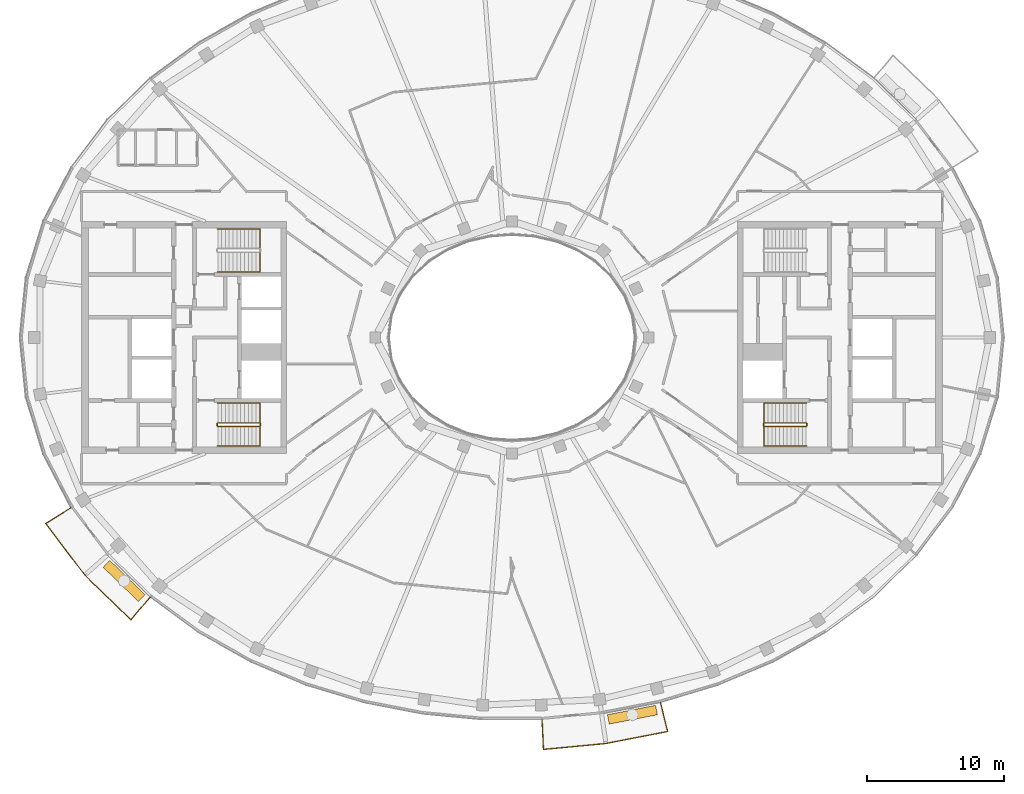
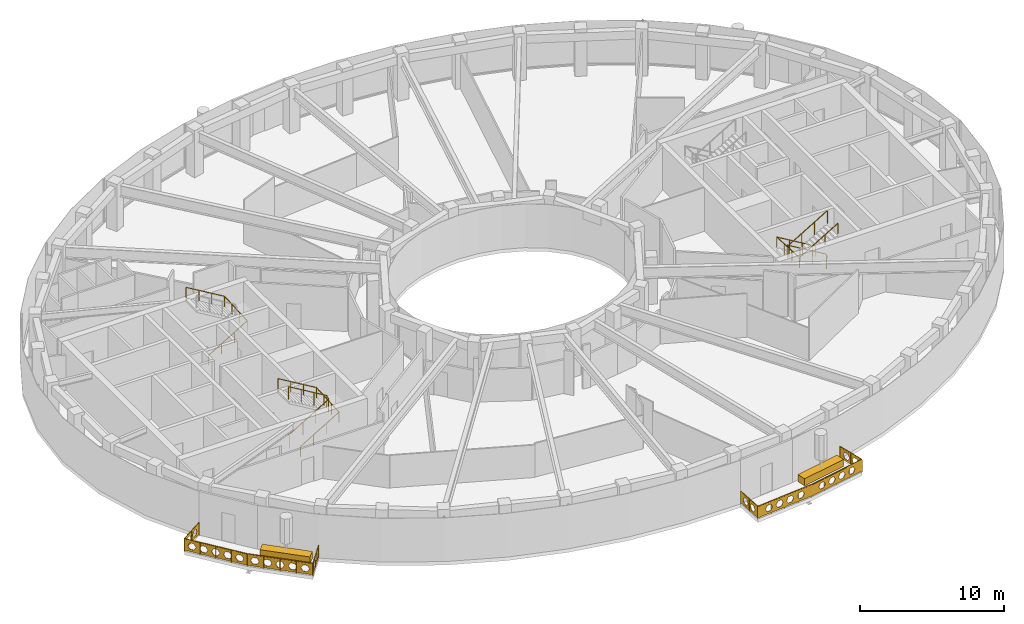
# One storey, part 18 of 20: 7 railings, 2 coverings.
"""IFC4 building model written with IfcOpenShell, lengths in metres."""

from ifc_helpers import new_model, si_unit, direction, frame, origin, origin_2d, place, context, subcontext, project, spatial, polyline, rectangle, outline, extrude, material, type_object, element, save


model = new_model("IFC4")

# Units and contexts
model_context = context("Model", 3, precision=1e-05, world=origin(), true_north=direction((0.0, 1.0)))
body_context = subcontext(model_context, "Body", "Model", "MODEL_VIEW")
ifc_project = project(units=[si_unit("LENGTHUNIT", "METRE"), si_unit("AREAUNIT", "SQUARE_METRE"), si_unit("VOLUMEUNIT", "CUBIC_METRE"), si_unit("PLANEANGLEUNIT", "RADIAN"), si_unit("MASSUNIT", "GRAM", prefix="KILO")], contexts=[model_context])

# Site, building, storey
site_placement = place(None, origin())
site = spatial("IfcSite", under=ifc_project, at=site_placement, CompositionType="ELEMENT")
building_placement = place(site_placement, origin())
building = spatial("IfcBuilding", under=site, at=building_placement, Name="Noorbagh Ring Tower", CompositionType="ELEMENT")
storey_placement = place(building_placement, frame((0.0, 0.0, 323.0)))
storey = spatial("IfcBuildingStorey", under=building, at=storey_placement, Name="L70", CompositionType="ELEMENT", Elevation=323.0)

# Railings
ifc_material_1 = material(Name="Stainless steel", Category="steel")
railing_type_1 = type_object("IfcRailingType", Name="CORE-STAIR-GUARD", PredefinedType="GUARDRAIL", material=ifc_material_1)
railing_1_placement = place(storey_placement, frame((-21.580078125, -6.449951171875, 0.0)))
element("IfcRailing", 1, at=railing_1_placement, inside=storey, type_object=railing_type_1, Name="L70 ST2 stair guard", PredefinedType="GUARDRAIL", context=body_context, shape_type="SweptSolid", body=[
    extrude(rectangle(XDim=0.048095703125, YDim=0.048095703125, at=origin_2d()), frame((0.0, 0.0, 1.076171875), z_axis=(0.0, 1.0, 0.0), x_axis=(-1.0, 0.0, 0.0)), (0.0, 0.0, 1.0), 0.14990234375),
    extrude(rectangle(XDim=0.048095703125, YDim=0.048095703125, at=origin_2d()), frame((0.0, 0.14990234375, 1.076171875), z_axis=(0.188775798145, -0.754182335027, 0.628945707965), x_axis=(0.970072785993, 0.242814311512, 0.0)), (0.0, 0.0, 1.0), 0.26513671875),
    extrude(rectangle(XDim=0.048095703125, YDim=0.048095703125, at=origin_2d()), frame((0.050048828125, -0.050048828125, 1.24267578125), z_axis=(0.859308565015, 0.0, 0.511457515432), x_axis=(0.0, 1.0, 0.0)), (0.0, 0.0, 1.0), 3.58447265625),
    extrude(rectangle(XDim=0.048095703125, YDim=0.048095703125, at=origin_2d()), frame((3.130126953125, -0.050048828125, 3.076171875), z_axis=(0.707106781187, 0.707106781187, 0.0), x_axis=(-0.707106781187, 0.707106781187, 0.0)), (0.0, 0.0, 1.0), 0.07080078125),
    extrude(rectangle(XDim=0.048095703125, YDim=0.048095703125, at=origin_2d()), frame((3.18017578125, 0.0, 3.076171875), z_axis=(0.0, 1.0, 0.0), x_axis=(-1.0, 0.0, 0.0)), (0.0, 0.0, 1.0), 0.14990234375),
    extrude(rectangle(XDim=0.048095703125, YDim=0.048095703125, at=origin_2d()), frame((3.18017578125, 0.14990234375, 3.076171875), z_axis=(-0.27628659633, 0.27628659633, 0.920506074601), x_axis=(-0.707106781187, -0.707106781187, 0.0)), (0.0, 0.0, 1.0), 0.18115234375),
    extrude(rectangle(XDim=0.048095703125, YDim=0.048095703125, at=origin_2d()), frame((3.130126953125, 0.199951171875, 3.24267578125), z_axis=(-0.859308565015, 0.0, 0.511457515432), x_axis=(0.0, -1.0, 0.0)), (0.0, 0.0, 1.0), 3.58447265625),
    extrude(rectangle(XDim=0.0419921875, YDim=0.0419921875, at=origin_2d()), origin(), (0.0, 0.0, 1.0), 1.052001953125),
    extrude(rectangle(XDim=0.0419921875, YDim=0.0419921875, at=origin_2d()), frame((1.07666015625, -0.050048828125, 0.77783203125)), (0.0, 0.0, 1.0), 1.052001953125),
    extrude(rectangle(XDim=0.0419921875, YDim=0.0419921875, at=origin_2d()), frame((2.103515625, -0.050048828125, 1.388916015625)), (0.0, 0.0, 1.0), 1.052001953125),
    extrude(rectangle(XDim=0.0419921875, YDim=0.0419921875, at=origin_2d()), frame((3.130126953125, -0.050048828125, 2.0)), (0.0, 0.0, 1.0), 1.052001953125),
    extrude(rectangle(XDim=0.0419921875, YDim=0.0419921875, at=origin_2d()), frame((3.130126953125, 0.199951171875, 2.166748046875)), (0.0, 0.0, 1.0), 1.052001953125),
    extrude(rectangle(XDim=0.0419921875, YDim=0.0419921875, at=origin_2d()), frame((2.103515625, 0.199951171875, 2.77783203125)), (0.0, 0.0, 1.0), 1.052001953125),
    extrude(rectangle(XDim=0.0419921875, YDim=0.0419921875, at=origin_2d()), frame((1.07666015625, 0.199951171875, 3.388916015625)), (0.0, 0.0, 1.0), 1.052001953125),
    extrude(rectangle(XDim=0.0419921875, YDim=0.0419921875, at=origin_2d()), frame((0.050048828125, 0.199951171875, 4.0)), (0.0, 0.0, 1.0), 1.052001953125),
])
railing_2_placement = place(storey_placement, frame((21.580078125, -6.300048828125, 0.0)))
element("IfcRailing", 2, at=railing_2_placement, inside=storey, type_object=railing_type_1, Name="L70 ST4 stair guard", PredefinedType="GUARDRAIL", context=body_context, shape_type="SweptSolid", body=[
    extrude(rectangle(XDim=0.048095703125, YDim=0.048095703125, at=origin_2d()), frame((0.0, 0.0, 1.076171875), z_axis=(0.0, -1.0, 0.0), x_axis=(1.0, 0.0, 0.0)), (0.0, 0.0, 1.0), 0.14990234375),
    extrude(rectangle(XDim=0.048095703125, YDim=0.048095703125, at=origin_2d()), frame((0.0, -0.14990234375, 1.076171875), z_axis=(-0.188775798145, 0.754182335027, 0.628945707965), x_axis=(-0.970072785993, -0.242814311512, 0.0)), (0.0, 0.0, 1.0), 0.26513671875),
    extrude(rectangle(XDim=0.048095703125, YDim=0.048095703125, at=origin_2d()), frame((-0.050048828125, 0.050048828125, 1.24267578125), z_axis=(-0.859308565015, 0.0, 0.511457515432), x_axis=(0.0, -1.0, 0.0)), (0.0, 0.0, 1.0), 3.58447265625),
    extrude(rectangle(XDim=0.048095703125, YDim=0.048095703125, at=origin_2d()), frame((-3.130126953125, 0.050048828125, 3.076171875), z_axis=(-0.707106781187, -0.707106781187, 0.0), x_axis=(0.707106781187, -0.707106781187, 0.0)), (0.0, 0.0, 1.0), 0.07080078125),
    extrude(rectangle(XDim=0.048095703125, YDim=0.048095703125, at=origin_2d()), frame((-3.18017578125, 0.0, 3.076171875), z_axis=(0.0, -1.0, 0.0), x_axis=(1.0, 0.0, 0.0)), (0.0, 0.0, 1.0), 0.14990234375),
    extrude(rectangle(XDim=0.048095703125, YDim=0.048095703125, at=origin_2d()), frame((-3.18017578125, -0.14990234375, 3.076171875), z_axis=(0.27628659633, -0.27628659633, 0.920506074601), x_axis=(0.707106781187, 0.707106781187, 0.0)), (0.0, 0.0, 1.0), 0.18115234375),
    extrude(rectangle(XDim=0.048095703125, YDim=0.048095703125, at=origin_2d()), frame((-3.130126953125, -0.199951171875, 3.24267578125), z_axis=(0.859308565015, 0.0, 0.511457515432), x_axis=(0.0, 1.0, 0.0)), (0.0, 0.0, 1.0), 3.58447265625),
    extrude(rectangle(XDim=0.0419921875, YDim=0.0419921875, at=origin_2d()), origin(), (0.0, 0.0, 1.0), 1.052001953125),
    extrude(rectangle(XDim=0.0419921875, YDim=0.0419921875, at=origin_2d()), frame((-1.07666015625, 0.050048828125, 0.77783203125)), (0.0, 0.0, 1.0), 1.052001953125),
    extrude(rectangle(XDim=0.0419921875, YDim=0.0419921875, at=origin_2d()), frame((-2.103515625, 0.050048828125, 1.388916015625)), (0.0, 0.0, 1.0), 1.052001953125),
    extrude(rectangle(XDim=0.0419921875, YDim=0.0419921875, at=origin_2d()), frame((-3.130126953125, 0.050048828125, 2.0)), (0.0, 0.0, 1.0), 1.052001953125),
    extrude(rectangle(XDim=0.0419921875, YDim=0.0419921875, at=origin_2d()), frame((-3.130126953125, -0.199951171875, 2.166748046875)), (0.0, 0.0, 1.0), 1.052001953125),
    extrude(rectangle(XDim=0.0419921875, YDim=0.0419921875, at=origin_2d()), frame((-2.103515625, -0.199951171875, 2.77783203125)), (0.0, 0.0, 1.0), 1.052001953125),
    extrude(rectangle(XDim=0.0419921875, YDim=0.0419921875, at=origin_2d()), frame((-1.07666015625, -0.199951171875, 3.388916015625)), (0.0, 0.0, 1.0), 1.052001953125),
    extrude(rectangle(XDim=0.0419921875, YDim=0.0419921875, at=origin_2d()), frame((-0.050048828125, -0.199951171875, 4.0)), (0.0, 0.0, 1.0), 1.052001953125),
])
ifc_material_2 = material(Name="Stainless steel", Category="steel")
railing_type_2 = type_object("IfcRailingType", Name="CORE-STAIR-HANDRAIL", PredefinedType="HANDRAIL", material=ifc_material_2)
railing_3_placement = place(storey_placement, frame((-21.530029296875, 4.800048828125, 0.166748046875)))
element("IfcRailing", 3, at=railing_3_placement, inside=storey, type_object=railing_type_2, Name="L70 ST1 stair handrail", PredefinedType="HANDRAIL", context=body_context, shape_type="SweptSolid", body=[
    extrude(rectangle(XDim=0.048095703125, YDim=0.048095703125, at=origin_2d()), frame((0.0, 0.0, 0.8759765625), z_axis=(0.859308565015, 0.0, 0.511457515432), x_axis=(0.0, 1.0, 0.0)), (0.0, 0.0, 1.0), 3.58447265625),
    extrude(rectangle(XDim=0.048095703125, YDim=0.048095703125, at=origin_2d()), frame((3.080078125, 0.0, 2.708984375), z_axis=(0.0, 0.998601747152, 0.052863509014), x_axis=(-1.0, 0.0, 0.0)), (0.0, 0.0, 1.0), 3.154296875),
    extrude(rectangle(XDim=0.048095703125, YDim=0.048095703125, at=origin_2d()), frame((3.080078125, 3.14990234375, 2.8759765625), z_axis=(-0.859308565015, 0.0, 0.511457515432), x_axis=(0.0, -1.0, 0.0)), (0.0, 0.0, 1.0), 3.58447265625),
    extrude(rectangle(XDim=0.0419921875, YDim=0.0419921875, at=origin_2d()), origin(), (0.0, 0.0, 1.0), 0.851806640625),
    extrude(rectangle(XDim=0.0419921875, YDim=0.0419921875, at=origin_2d()), frame((1.026611328125, 0.0, 0.611083984375)), (0.0, 0.0, 1.0), 0.851806640625),
    extrude(rectangle(XDim=0.0419921875, YDim=0.0419921875, at=origin_2d()), frame((2.053466796875, 0.0, 1.22216796875)), (0.0, 0.0, 1.0), 0.851806640625),
    extrude(rectangle(XDim=0.0419921875, YDim=0.0419921875, at=origin_2d()), frame((3.080078125, 0.0, 1.833251953125)), (0.0, 0.0, 1.0), 0.851806640625),
    extrude(rectangle(XDim=0.0419921875, YDim=0.0419921875, at=origin_2d()), frame((3.080078125, 1.050048828125, 1.888916015625)), (0.0, 0.0, 1.0), 0.851806640625),
    extrude(rectangle(XDim=0.0419921875, YDim=0.0419921875, at=origin_2d()), frame((3.080078125, 2.099853515625, 1.9443359375)), (0.0, 0.0, 1.0), 0.851806640625),
    extrude(rectangle(XDim=0.0419921875, YDim=0.0419921875, at=origin_2d()), frame((3.080078125, 3.14990234375, 2.0)), (0.0, 0.0, 1.0), 0.851806640625),
    extrude(rectangle(XDim=0.0419921875, YDim=0.0419921875, at=origin_2d()), frame((2.053466796875, 3.14990234375, 2.611083984375)), (0.0, 0.0, 1.0), 0.851806640625),
    extrude(rectangle(XDim=0.0419921875, YDim=0.0419921875, at=origin_2d()), frame((1.026611328125, 3.14990234375, 3.22216796875)), (0.0, 0.0, 1.0), 0.851806640625),
    extrude(rectangle(XDim=0.0419921875, YDim=0.0419921875, at=origin_2d()), frame((0.0, 3.14990234375, 3.833251953125)), (0.0, 0.0, 1.0), 0.851806640625),
])
railing_4_placement = place(storey_placement, frame((-21.530029296875, -7.949951171875, 0.166748046875)))
element("IfcRailing", 4, at=railing_4_placement, inside=storey, type_object=railing_type_2, Name="L70 ST2 stair handrail", PredefinedType="HANDRAIL", context=body_context, shape_type="SweptSolid", body=[
    extrude(rectangle(XDim=0.048095703125, YDim=0.048095703125, at=origin_2d()), frame((0.0, 0.0, 0.8759765625), z_axis=(0.859308565015, 0.0, 0.511457515432), x_axis=(0.0, 1.0, 0.0)), (0.0, 0.0, 1.0), 3.58447265625),
    extrude(rectangle(XDim=0.048095703125, YDim=0.048095703125, at=origin_2d()), frame((3.080078125, 0.0, 2.708984375), z_axis=(0.0, 0.998601747152, 0.052863509014), x_axis=(-1.0, 0.0, 0.0)), (0.0, 0.0, 1.0), 3.154296875),
    extrude(rectangle(XDim=0.048095703125, YDim=0.048095703125, at=origin_2d()), frame((3.080078125, 3.14990234375, 2.8759765625), z_axis=(-0.859308565015, 0.0, 0.511457515432), x_axis=(0.0, -1.0, 0.0)), (0.0, 0.0, 1.0), 3.58447265625),
    extrude(rectangle(XDim=0.0419921875, YDim=0.0419921875, at=origin_2d()), origin(), (0.0, 0.0, 1.0), 0.851806640625),
    extrude(rectangle(XDim=0.0419921875, YDim=0.0419921875, at=origin_2d()), frame((1.026611328125, 0.0, 0.611083984375)), (0.0, 0.0, 1.0), 0.851806640625),
    extrude(rectangle(XDim=0.0419921875, YDim=0.0419921875, at=origin_2d()), frame((2.053466796875, 0.0, 1.22216796875)), (0.0, 0.0, 1.0), 0.851806640625),
    extrude(rectangle(XDim=0.0419921875, YDim=0.0419921875, at=origin_2d()), frame((3.080078125, 0.0, 1.833251953125)), (0.0, 0.0, 1.0), 0.851806640625),
    extrude(rectangle(XDim=0.0419921875, YDim=0.0419921875, at=origin_2d()), frame((3.080078125, 1.050048828125, 1.888916015625)), (0.0, 0.0, 1.0), 0.851806640625),
    extrude(rectangle(XDim=0.0419921875, YDim=0.0419921875, at=origin_2d()), frame((3.080078125, 2.099853515625, 1.9443359375)), (0.0, 0.0, 1.0), 0.851806640625),
    extrude(rectangle(XDim=0.0419921875, YDim=0.0419921875, at=origin_2d()), frame((3.080078125, 3.14990234375, 2.0)), (0.0, 0.0, 1.0), 0.851806640625),
    extrude(rectangle(XDim=0.0419921875, YDim=0.0419921875, at=origin_2d()), frame((2.053466796875, 3.14990234375, 2.611083984375)), (0.0, 0.0, 1.0), 0.851806640625),
    extrude(rectangle(XDim=0.0419921875, YDim=0.0419921875, at=origin_2d()), frame((1.026611328125, 3.14990234375, 3.22216796875)), (0.0, 0.0, 1.0), 0.851806640625),
    extrude(rectangle(XDim=0.0419921875, YDim=0.0419921875, at=origin_2d()), frame((0.0, 3.14990234375, 3.833251953125)), (0.0, 0.0, 1.0), 0.851806640625),
])
railing_5_placement = place(storey_placement, frame((21.530029296875, -4.800048828125, 0.166748046875)))
element("IfcRailing", 5, at=railing_5_placement, inside=storey, type_object=railing_type_2, Name="L70 ST4 stair handrail", PredefinedType="HANDRAIL", context=body_context, shape_type="SweptSolid", body=[
    extrude(rectangle(XDim=0.048095703125, YDim=0.048095703125, at=origin_2d()), frame((0.0, 0.0, 0.8759765625), z_axis=(-0.859308565015, 0.0, 0.511457515432), x_axis=(0.0, -1.0, 0.0)), (0.0, 0.0, 1.0), 3.58447265625),
    extrude(rectangle(XDim=0.048095703125, YDim=0.048095703125, at=origin_2d()), frame((-3.080078125, 0.0, 2.708984375), z_axis=(0.0, -0.998601747152, 0.052863509014), x_axis=(1.0, 0.0, 0.0)), (0.0, 0.0, 1.0), 3.154296875),
    extrude(rectangle(XDim=0.048095703125, YDim=0.048095703125, at=origin_2d()), frame((-3.080078125, -3.14990234375, 2.8759765625), z_axis=(0.859308565015, 0.0, 0.511457515432), x_axis=(0.0, 1.0, 0.0)), (0.0, 0.0, 1.0), 3.58447265625),
    extrude(rectangle(XDim=0.0419921875, YDim=0.0419921875, at=origin_2d()), origin(), (0.0, 0.0, 1.0), 0.851806640625),
    extrude(rectangle(XDim=0.0419921875, YDim=0.0419921875, at=origin_2d()), frame((-1.026611328125, 0.0, 0.611083984375)), (0.0, 0.0, 1.0), 0.851806640625),
    extrude(rectangle(XDim=0.0419921875, YDim=0.0419921875, at=origin_2d()), frame((-2.053466796875, 0.0, 1.22216796875)), (0.0, 0.0, 1.0), 0.851806640625),
    extrude(rectangle(XDim=0.0419921875, YDim=0.0419921875, at=origin_2d()), frame((-3.080078125, 0.0, 1.833251953125)), (0.0, 0.0, 1.0), 0.851806640625),
    extrude(rectangle(XDim=0.0419921875, YDim=0.0419921875, at=origin_2d()), frame((-3.080078125, -1.050048828125, 1.888916015625)), (0.0, 0.0, 1.0), 0.851806640625),
    extrude(rectangle(XDim=0.0419921875, YDim=0.0419921875, at=origin_2d()), frame((-3.080078125, -2.099853515625, 1.9443359375)), (0.0, 0.0, 1.0), 0.851806640625),
    extrude(rectangle(XDim=0.0419921875, YDim=0.0419921875, at=origin_2d()), frame((-3.080078125, -3.14990234375, 2.0)), (0.0, 0.0, 1.0), 0.851806640625),
    extrude(rectangle(XDim=0.0419921875, YDim=0.0419921875, at=origin_2d()), frame((-2.053466796875, -3.14990234375, 2.611083984375)), (0.0, 0.0, 1.0), 0.851806640625),
    extrude(rectangle(XDim=0.0419921875, YDim=0.0419921875, at=origin_2d()), frame((-1.026611328125, -3.14990234375, 3.22216796875)), (0.0, 0.0, 1.0), 0.851806640625),
    extrude(rectangle(XDim=0.0419921875, YDim=0.0419921875, at=origin_2d()), frame((0.0, -3.14990234375, 3.833251953125)), (0.0, 0.0, 1.0), 0.851806640625),
])
ifc_material_3 = material(Name="Steel S275 black powder-coated", Category="steel")
railing_type_3 = type_object("IfcRailingType", Name="ENV-GUARD", PredefinedType="GUARDRAIL", material=ifc_material_3)
railing_6_placement = place(storey_placement, frame((-32.255126953125, -12.434814453125, 0.0)))
element("IfcRailing", 6, at=railing_6_placement, inside=storey, type_object=railing_type_3, Name="Balcony guard BS01", PredefinedType="GUARDRAIL", context=body_context, shape_type="SweptSolid", body=[
    extrude(rectangle(XDim=0.048095703125, YDim=0.048095703125, at=origin_2d()), frame((0.0, 0.0, 1.076171875), z_axis=(-0.844852397829, -0.534999463442, 0.0), x_axis=(0.534999463442, -0.844852397829, 0.0)), (0.0, 0.0, 1.0), 2.207763671875),
    extrude(rectangle(XDim=0.048095703125, YDim=0.048095703125, at=origin_2d()), frame((-1.865234375, -1.18115234375, 1.076171875), z_axis=(0.604001613322, -0.796983093362, 0.0), x_axis=(0.796983093362, 0.604001613322, 0.0)), (0.0, 0.0, 1.0), 4.7353515625),
    extrude(rectangle(XDim=0.048095703125, YDim=0.048095703125, at=origin_2d()), frame((0.994873046875, -4.955078125, 1.076171875), z_axis=(0.717212632946, -0.696854388766, 0.0), x_axis=(0.696854388766, 0.717212632946, 0.0)), (0.0, 0.0, 1.0), 4.700927734375),
    extrude(rectangle(XDim=0.048095703125, YDim=0.048095703125, at=origin_2d()), frame((4.366455078125, -8.23095703125, 1.076171875), z_axis=(0.646413574048, 0.762987215677, 0.0), x_axis=(-0.762987215677, 0.646413574048, 0.0)), (0.0, 0.0, 1.0), 2.205322265625),
    extrude(rectangle(XDim=0.0419921875, YDim=0.0419921875, at=origin_2d()), origin(), (0.0, 0.0, 1.0), 1.052001953125),
    extrude(rectangle(XDim=0.0419921875, YDim=0.0419921875, at=origin_2d()), frame((-0.9326171875, -0.590576171875, 0.0)), (0.0, 0.0, 1.0), 1.052001953125),
    extrude(rectangle(XDim=0.0419921875, YDim=0.0419921875, at=origin_2d()), frame((-1.865234375, -1.18115234375, 0.0)), (0.0, 0.0, 1.0), 1.052001953125),
    extrude(rectangle(XDim=0.0419921875, YDim=0.0419921875, at=origin_2d()), frame((-1.150146484375, -2.12451171875, 0.0)), (0.0, 0.0, 1.0), 1.052001953125),
    extrude(rectangle(XDim=0.0419921875, YDim=0.0419921875, at=origin_2d()), frame((-0.43505859375, -3.068115234375, 0.0)), (0.0, 0.0, 1.0), 1.052001953125),
    extrude(rectangle(XDim=0.0419921875, YDim=0.0419921875, at=origin_2d()), frame((0.27978515625, -4.01171875, 0.0)), (0.0, 0.0, 1.0), 1.052001953125),
    extrude(rectangle(XDim=0.0419921875, YDim=0.0419921875, at=origin_2d()), frame((0.994873046875, -4.955078125, 0.0)), (0.0, 0.0, 1.0), 1.052001953125),
    extrude(rectangle(XDim=0.0419921875, YDim=0.0419921875, at=origin_2d()), frame((1.837890625, -5.77392578125, 0.0)), (0.0, 0.0, 1.0), 1.052001953125),
    extrude(rectangle(XDim=0.0419921875, YDim=0.0419921875, at=origin_2d()), frame((2.6806640625, -6.593017578125, 0.0)), (0.0, 0.0, 1.0), 1.052001953125),
    extrude(rectangle(XDim=0.0419921875, YDim=0.0419921875, at=origin_2d()), frame((3.5234375, -7.412109375, 0.0)), (0.0, 0.0, 1.0), 1.052001953125),
    extrude(rectangle(XDim=0.0419921875, YDim=0.0419921875, at=origin_2d()), frame((4.366455078125, -8.23095703125, 0.0)), (0.0, 0.0, 1.0), 1.052001953125),
    extrude(rectangle(XDim=0.0419921875, YDim=0.0419921875, at=origin_2d()), frame((5.0791015625, -7.3896484375, 0.0)), (0.0, 0.0, 1.0), 1.052001953125),
    extrude(rectangle(XDim=0.0419921875, YDim=0.0419921875, at=origin_2d()), frame((5.7919921875, -6.54833984375, 0.0)), (0.0, 0.0, 1.0), 1.052001953125),
    extrude(outline(polyline([(0.0, 0.10009765625), (2.207763671875, 0.10009765625), (2.207763671875, 1.031982421875), (0.0, 1.031982421875), (0.0, 0.10009765625)]), holes=[polyline([(0.9638671875, 0.56591796875), (0.808837890625, 0.83447265625), (0.498779296875, 0.83447265625), (0.343994140625, 0.56591796875), (0.498779296875, 0.297607421875), (0.808837890625, 0.297607421875), (0.9638671875, 0.56591796875)]), polyline([(1.86376953125, 0.56591796875), (1.708984375, 0.83447265625), (1.39892578125, 0.83447265625), (1.243896484375, 0.56591796875), (1.39892578125, 0.297607421875), (1.708984375, 0.297607421875), (1.86376953125, 0.56591796875)])]), frame((0.00537109375, -0.008544921875, 0.0), z_axis=(-0.534999463442, 0.844852397829, 0.0), x_axis=(-0.844852397829, -0.534999463442, 0.0)), (0.0, 0.0, 1.0), 0.02001953125),
    extrude(outline(polyline([(0.0, 0.10009765625), (4.7353515625, 0.10009765625), (4.7353515625, 1.031982421875), (0.0, 1.031982421875), (0.0, 0.10009765625)]), holes=[polyline([(0.877685546875, 0.56591796875), (0.72265625, 0.83447265625), (0.41259765625, 0.83447265625), (0.257568359375, 0.56591796875), (0.41259765625, 0.297607421875), (0.72265625, 0.297607421875), (0.877685546875, 0.56591796875)]), polyline([(1.777587890625, 0.56591796875), (1.62255859375, 0.83447265625), (1.312744140625, 0.83447265625), (1.15771484375, 0.56591796875), (1.312744140625, 0.297607421875), (1.62255859375, 0.297607421875), (1.777587890625, 0.56591796875)]), polyline([(2.677734375, 0.56591796875), (2.522705078125, 0.83447265625), (2.212646484375, 0.83447265625), (2.0576171875, 0.56591796875), (2.212646484375, 0.297607421875), (2.522705078125, 0.297607421875), (2.677734375, 0.56591796875)]), polyline([(3.57763671875, 0.56591796875), (3.422607421875, 0.83447265625), (3.112548828125, 0.83447265625), (2.95751953125, 0.56591796875), (3.112548828125, 0.297607421875), (3.422607421875, 0.297607421875), (3.57763671875, 0.56591796875)]), polyline([(4.4775390625, 0.56591796875), (4.32275390625, 0.83447265625), (4.0126953125, 0.83447265625), (3.857666015625, 0.56591796875), (4.0126953125, 0.297607421875), (4.32275390625, 0.297607421875), (4.4775390625, 0.56591796875)])]), frame((-1.857177734375, -1.175048828125, 0.0), z_axis=(-0.796983093362, -0.604001613322, 0.0), x_axis=(0.604001613322, -0.796983093362, 0.0)), (0.0, 0.0, 1.0), 0.02001953125),
    extrude(outline(polyline([(0.0, 0.10009765625), (4.700927734375, 0.10009765625), (4.700927734375, 1.031982421875), (0.0, 1.031982421875), (0.0, 0.10009765625)]), holes=[polyline([(0.860595703125, 0.56591796875), (0.70556640625, 0.83447265625), (0.3955078125, 0.83447265625), (0.240478515625, 0.56591796875), (0.3955078125, 0.297607421875), (0.70556640625, 0.297607421875), (0.860595703125, 0.56591796875)]), polyline([(1.760498046875, 0.56591796875), (1.60546875, 0.83447265625), (1.29541015625, 0.83447265625), (1.140380859375, 0.56591796875), (1.29541015625, 0.297607421875), (1.60546875, 0.297607421875), (1.760498046875, 0.56591796875)]), polyline([(2.660400390625, 0.56591796875), (2.50537109375, 0.83447265625), (2.195556640625, 0.83447265625), (2.04052734375, 0.56591796875), (2.195556640625, 0.297607421875), (2.50537109375, 0.297607421875), (2.660400390625, 0.56591796875)]), polyline([(3.560546875, 0.56591796875), (3.405517578125, 0.83447265625), (3.095458984375, 0.83447265625), (2.9404296875, 0.56591796875), (3.095458984375, 0.297607421875), (3.405517578125, 0.297607421875), (3.560546875, 0.56591796875)]), polyline([(4.46044921875, 0.56591796875), (4.305419921875, 0.83447265625), (3.995361328125, 0.83447265625), (3.840576171875, 0.56591796875), (3.995361328125, 0.297607421875), (4.305419921875, 0.297607421875), (4.46044921875, 0.56591796875)])]), frame((1.001953125, -4.947998046875, 0.0), z_axis=(-0.696854388766, -0.717212632946, 0.0), x_axis=(0.717212632946, -0.696854388766, 0.0)), (0.0, 0.0, 1.0), 0.02001953125),
    extrude(outline(polyline([(0.0, 0.10009765625), (2.205322265625, 0.10009765625), (2.205322265625, 1.031982421875), (0.0, 1.031982421875), (0.0, 0.10009765625)]), holes=[polyline([(0.962646484375, 0.56591796875), (0.8076171875, 0.83447265625), (0.49755859375, 0.83447265625), (0.342529296875, 0.56591796875), (0.49755859375, 0.297607421875), (0.8076171875, 0.297607421875), (0.962646484375, 0.56591796875)]), polyline([(1.862548828125, 0.56591796875), (1.707763671875, 0.83447265625), (1.397705078125, 0.83447265625), (1.24267578125, 0.56591796875), (1.397705078125, 0.297607421875), (1.707763671875, 0.297607421875), (1.862548828125, 0.56591796875)])]), frame((4.35888671875, -8.224609375, 0.0), z_axis=(0.762987215677, -0.646413574048, 0.0), x_axis=(0.646413574048, 0.762987215677, 0.0)), (0.0, 0.0, 1.0), 0.02001953125),
])
railing_7_placement = place(storey_placement, frame((2.193115234375, -27.947998046875, 0.0)))
element("IfcRailing", 7, at=railing_7_placement, inside=storey, type_object=railing_type_3, Name="Balcony guard BS04", PredefinedType="GUARDRAIL", context=body_context, shape_type="SweptSolid", body=[
    extrude(rectangle(XDim=0.048095703125, YDim=0.048095703125, at=origin_2d()), frame((0.0, 0.0, 1.076171875), z_axis=(0.047554616162, -0.998868639252, 0.0), x_axis=(0.998868639252, 0.047554616162, 0.0)), (0.0, 0.0, 1.0), 2.202392578125),
    extrude(rectangle(XDim=0.048095703125, YDim=0.048095703125, at=origin_2d()), frame((0.104736328125, -2.199951171875, 1.076171875), z_axis=(0.995477555764, 0.094997031379, 0.0), x_axis=(-0.094997031379, 0.995477555764, 0.0)), (0.0, 0.0, 1.0), 4.59765625),
    extrude(rectangle(XDim=0.048095703125, YDim=0.048095703125, at=origin_2d()), frame((4.681640625, -1.76318359375, 1.076171875), z_axis=(0.981625049064, 0.1908199755, 0.0), x_axis=(-0.1908199755, 0.981625049064, 0.0)), (0.0, 0.0, 1.0), 4.603271484375),
    extrude(rectangle(XDim=0.048095703125, YDim=0.048095703125, at=origin_2d()), frame((9.200439453125, -0.884765625, 1.076171875), z_axis=(-0.239848558412, 0.970810315679, 0.0), x_axis=(-0.970810315679, -0.239848558412, 0.0)), (0.0, 0.0, 1.0), 2.20263671875),
    extrude(rectangle(XDim=0.0419921875, YDim=0.0419921875, at=origin_2d()), origin(), (0.0, 0.0, 1.0), 1.052001953125),
    extrude(rectangle(XDim=0.0419921875, YDim=0.0419921875, at=origin_2d()), frame((0.05224609375, -1.10009765625, 0.0)), (0.0, 0.0, 1.0), 1.052001953125),
    extrude(rectangle(XDim=0.0419921875, YDim=0.0419921875, at=origin_2d()), frame((0.104736328125, -2.199951171875, 0.0)), (0.0, 0.0, 1.0), 1.052001953125),
    extrude(rectangle(XDim=0.0419921875, YDim=0.0419921875, at=origin_2d()), frame((1.2490234375, -2.0908203125, 0.0)), (0.0, 0.0, 1.0), 1.052001953125),
    extrude(rectangle(XDim=0.0419921875, YDim=0.0419921875, at=origin_2d()), frame((2.39306640625, -1.9814453125, 0.0)), (0.0, 0.0, 1.0), 1.052001953125),
    extrude(rectangle(XDim=0.0419921875, YDim=0.0419921875, at=origin_2d()), frame((3.537353515625, -1.872314453125, 0.0)), (0.0, 0.0, 1.0), 1.052001953125),
    extrude(rectangle(XDim=0.0419921875, YDim=0.0419921875, at=origin_2d()), frame((4.681640625, -1.76318359375, 0.0)), (0.0, 0.0, 1.0), 1.052001953125),
    extrude(rectangle(XDim=0.0419921875, YDim=0.0419921875, at=origin_2d()), frame((5.811279296875, -1.54345703125, 0.0)), (0.0, 0.0, 1.0), 1.052001953125),
    extrude(rectangle(XDim=0.0419921875, YDim=0.0419921875, at=origin_2d()), frame((6.94091796875, -1.323974609375, 0.0)), (0.0, 0.0, 1.0), 1.052001953125),
    extrude(rectangle(XDim=0.0419921875, YDim=0.0419921875, at=origin_2d()), frame((8.07080078125, -1.1044921875, 0.0)), (0.0, 0.0, 1.0), 1.052001953125),
    extrude(rectangle(XDim=0.0419921875, YDim=0.0419921875, at=origin_2d()), frame((9.200439453125, -0.884765625, 0.0)), (0.0, 0.0, 1.0), 1.052001953125),
    extrude(rectangle(XDim=0.0419921875, YDim=0.0419921875, at=origin_2d()), frame((8.936279296875, 0.1845703125, 0.0)), (0.0, 0.0, 1.0), 1.052001953125),
    extrude(rectangle(XDim=0.0419921875, YDim=0.0419921875, at=origin_2d()), frame((8.672119140625, 1.253662109375, 0.0)), (0.0, 0.0, 1.0), 1.052001953125),
    extrude(outline(polyline([(0.0, 0.10009765625), (2.202392578125, 0.10009765625), (2.202392578125, 1.031982421875), (0.0, 1.031982421875), (0.0, 0.10009765625)]), holes=[polyline([(0.961181640625, 0.56591796875), (0.80615234375, 0.83447265625), (0.496337890625, 0.83447265625), (0.34130859375, 0.56591796875), (0.496337890625, 0.297607421875), (0.80615234375, 0.297607421875), (0.961181640625, 0.56591796875)]), polyline([(1.861328125, 0.56591796875), (1.706298828125, 0.83447265625), (1.396240234375, 0.83447265625), (1.2412109375, 0.56591796875), (1.396240234375, 0.297607421875), (1.706298828125, 0.297607421875), (1.861328125, 0.56591796875)])]), frame((0.010009765625, 0.00048828125, 0.0), z_axis=(-0.998868639252, -0.047554616162, 0.0), x_axis=(0.047554616162, -0.998868639252, 0.0)), (0.0, 0.0, 1.0), 0.02001953125),
    extrude(outline(polyline([(0.0, 0.10009765625), (4.59765625, 0.10009765625), (4.59765625, 1.031982421875), (0.0, 1.031982421875), (0.0, 0.10009765625)]), holes=[polyline([(1.2587890625, 0.56591796875), (1.103759765625, 0.83447265625), (0.7939453125, 0.83447265625), (0.638916015625, 0.56591796875), (0.7939453125, 0.297607421875), (1.103759765625, 0.297607421875), (1.2587890625, 0.56591796875)]), polyline([(2.158935546875, 0.56591796875), (2.00390625, 0.83447265625), (1.69384765625, 0.83447265625), (1.538818359375, 0.56591796875), (1.69384765625, 0.297607421875), (2.00390625, 0.297607421875), (2.158935546875, 0.56591796875)]), polyline([(3.058837890625, 0.56591796875), (2.90380859375, 0.83447265625), (2.59375, 0.83447265625), (2.43896484375, 0.56591796875), (2.59375, 0.297607421875), (2.90380859375, 0.297607421875), (3.058837890625, 0.56591796875)]), polyline([(3.958740234375, 0.56591796875), (3.803955078125, 0.83447265625), (3.493896484375, 0.83447265625), (3.3388671875, 0.56591796875), (3.493896484375, 0.297607421875), (3.803955078125, 0.297607421875), (3.958740234375, 0.56591796875)])]), frame((0.103759765625, -2.18994140625, 0.0), z_axis=(0.094997031379, -0.995477555764, 0.0), x_axis=(0.995477555764, 0.094997031379, 0.0)), (0.0, 0.0, 1.0), 0.02001953125),
    extrude(outline(polyline([(0.0, 0.10009765625), (4.603271484375, 0.10009765625), (4.603271484375, 1.031982421875), (0.0, 1.031982421875), (0.0, 0.10009765625)]), holes=[polyline([(1.26171875, 0.56591796875), (1.106689453125, 0.83447265625), (0.796630859375, 0.83447265625), (0.6416015625, 0.56591796875), (0.796630859375, 0.297607421875), (1.106689453125, 0.297607421875), (1.26171875, 0.56591796875)]), polyline([(2.16162109375, 0.56591796875), (2.006591796875, 0.83447265625), (1.69677734375, 0.83447265625), (1.541748046875, 0.56591796875), (1.69677734375, 0.297607421875), (2.006591796875, 0.297607421875), (2.16162109375, 0.56591796875)]), polyline([(3.061767578125, 0.56591796875), (2.90673828125, 0.83447265625), (2.5966796875, 0.83447265625), (2.441650390625, 0.56591796875), (2.5966796875, 0.297607421875), (2.90673828125, 0.297607421875), (3.061767578125, 0.56591796875)]), polyline([(3.961669921875, 0.56591796875), (3.806640625, 0.83447265625), (3.49658203125, 0.83447265625), (3.341796875, 0.56591796875), (3.49658203125, 0.297607421875), (3.806640625, 0.297607421875), (3.961669921875, 0.56591796875)])]), frame((4.6796875, -1.75341796875, 0.0), z_axis=(0.1908199755, -0.981625049064, 0.0), x_axis=(0.981625049064, 0.1908199755, 0.0)), (0.0, 0.0, 1.0), 0.02001953125),
    extrude(outline(polyline([(0.0, 0.10009765625), (2.20263671875, 0.10009765625), (2.20263671875, 1.031982421875), (0.0, 1.031982421875), (0.0, 0.10009765625)]), holes=[polyline([(0.96142578125, 0.56591796875), (0.806396484375, 0.83447265625), (0.496337890625, 0.83447265625), (0.34130859375, 0.56591796875), (0.496337890625, 0.297607421875), (0.806396484375, 0.297607421875), (0.96142578125, 0.56591796875)]), polyline([(1.861328125, 0.56591796875), (1.706298828125, 0.83447265625), (1.396240234375, 0.83447265625), (1.241455078125, 0.56591796875), (1.396240234375, 0.297607421875), (1.706298828125, 0.297607421875), (1.861328125, 0.56591796875)])]), frame((9.190673828125, -0.88720703125, 0.0), z_axis=(0.970810315679, 0.239848558412, 0.0), x_axis=(-0.239848558412, 0.970810315679, 0.0)), (0.0, 0.0, 1.0), 0.02001953125),
])

# Coverings
ifc_material_4 = material(Name="Concrete C30/37 planter with soil", Category="concrete")
covering_type = type_object("IfcCoveringType", Name="ENV-PLANTER", PredefinedType="CLADDING", material=ifc_material_4)
covering_1_placement = place(storey_placement, frame((-28.3837890625, -17.814208984375, 0.0), z_axis=(0.0, 0.0, 1.0), x_axis=(0.717224548362, -0.696842125038, 0.0)))
element("IfcCovering", 8, at=covering_1_placement, inside=storey, type_object=covering_type, Name="PLANTER BS01", ObjectType="PLANTER", PredefinedType="CLADDING", context=body_context, shape_type="SweptSolid", body=[
    extrude(rectangle(XDim=3.584228515625, YDim=0.699951171875, at=origin_2d()), origin(), (0.0, 0.0, 1.0), 0.60009765625),
])
covering_2_placement = place(storey_placement, frame((8.807861328125, -27.603515625, 0.0), z_axis=(0.0, 0.0, 1.0), x_axis=(0.981624952922, 0.190820470077, 0.0)))
element("IfcCovering", 9, at=covering_2_placement, inside=storey, type_object=covering_type, Name="PLANTER BS04", ObjectType="PLANTER", PredefinedType="CLADDING", context=body_context, shape_type="SweptSolid", body=[
    extrude(rectangle(XDim=3.586181640625, YDim=0.699951171875, at=origin_2d()), origin(), (0.0, 0.0, 1.0), 0.60009765625),
])

save(model, "model.ifc")
